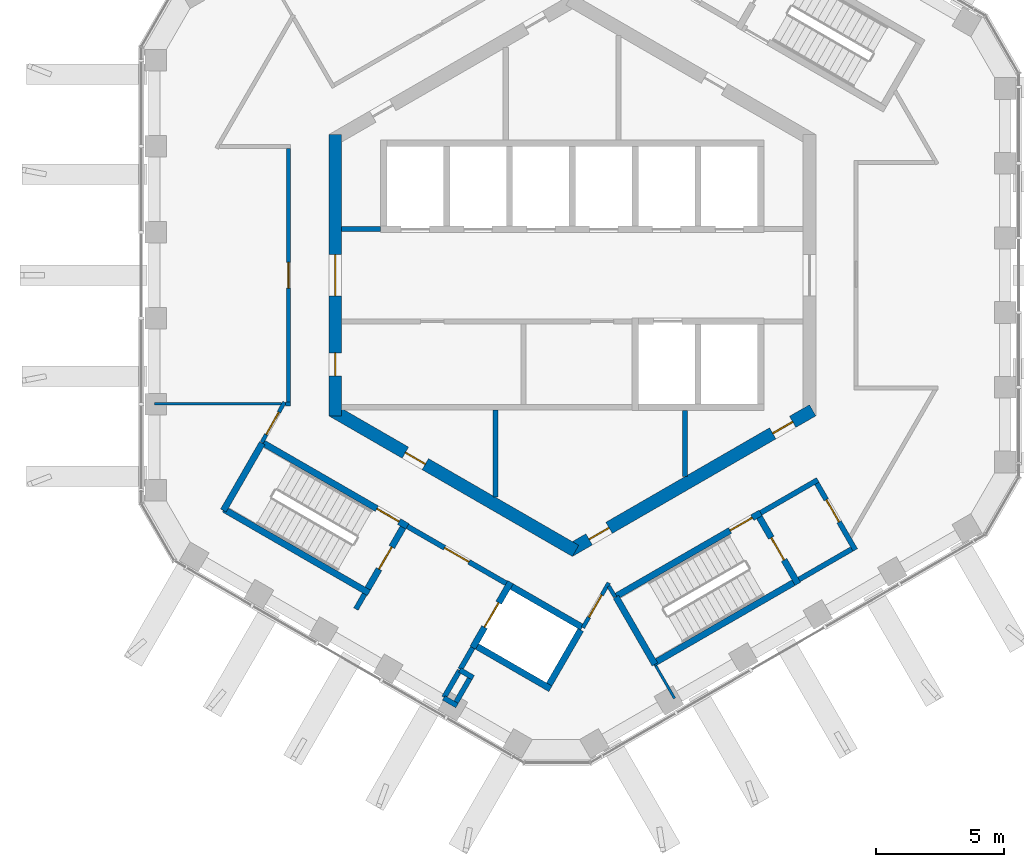
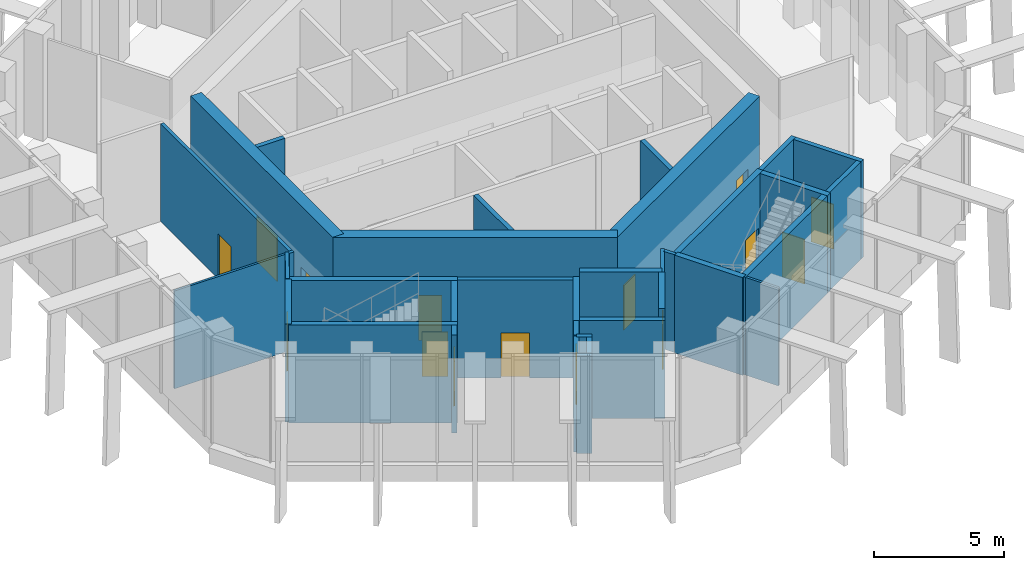
# One storey, part 11 of 17: 35 walls, 15 doors, 15 openings.
"""IFC4 building model written with IfcOpenShell, lengths in metres."""

from ifc_helpers import new_model, si_unit, direction, frame, frame_2d, origin, place, context, subcontext, project, spatial, rectangle, extrude, material, layer, layer_set, type_object, element, fill, save


model = new_model("IFC4")

# Units and contexts
model_context = context("Model", 3, precision=1e-05, world=origin(), true_north=direction((0.0, 1.0)))
body_context = subcontext(model_context, "Body", "Model", "MODEL_VIEW")
ifc_project = project(units=[si_unit("LENGTHUNIT", "METRE"), si_unit("AREAUNIT", "SQUARE_METRE"), si_unit("VOLUMEUNIT", "CUBIC_METRE"), si_unit("PLANEANGLEUNIT", "RADIAN"), si_unit("MASSUNIT", "GRAM", prefix="KILO")], contexts=[model_context])

# Site, building, storey
site_placement = place(None, origin())
site = spatial("IfcSite", under=ifc_project, at=site_placement, CompositionType="ELEMENT")
building_placement = place(site_placement, origin())
building = spatial("IfcBuilding", under=site, at=building_placement, Name="Ayvan Gate Tower", CompositionType="ELEMENT")
storey_placement = place(building_placement, frame((0.0, 0.0, 252.89990234375)))
storey = spatial("IfcBuildingStorey", under=building, at=storey_placement, Name="L68", CompositionType="ELEMENT", Elevation=252.89990234375)

# Wall, openings, doors
ifc_material_1 = material(Name="Concrete C60/75", Category="concrete")
ifc_layer_1 = layer(ifc_material_1, 0.5)
ifc_layer_set_1 = layer_set([ifc_layer_1], Name="Concrete C60/75")
wall_type_1 = type_object("IfcWallType", Name="Core wall 500 C60/75", PredefinedType="SHEAR", material=ifc_layer_set_1)
wall_1_placement = place(storey_placement, frame((-9.25, 5.48486328125, 0.0), z_axis=(0.0, 0.0, 1.0), x_axis=(0.0, -1.0, 0.0)))
wall_1 = element("IfcWall", 1, at=wall_1_placement, inside=storey, type_object=wall_type_1, Name="CORE-L68-3", PredefinedType="SHEAR", context=body_context, shape_type="SweptSolid", body=[
    extrude(rectangle(XDim=10.9697265625, YDim=0.5, at=frame_2d((5.48486328125, 0.0))), origin(), (0.0, 0.0, 1.0), 5.0),
])
opening_1_placement = place(wall_1_placement, frame((8.509765625, 0.0, 0.0)))
opening_1 = element("IfcOpeningElement", 2, at=opening_1_placement, cuts=wall_1, Name="Opening L68-D33", PredefinedType="OPENING", context=body_context, shape_type="SweptSolid", body=[
    extrude(rectangle(XDim=0.89990234375, YDim=2.10009765625, at=frame_2d((0.449951171875, 1.050048828125))), frame((0.0, 0.260009765625, 0.0), z_axis=(0.0, -1.0, 0.0), x_axis=(1.0, 0.0, 0.0)), (0.0, 0.0, 1.0), 0.52001953125),
])
opening_2_placement = place(wall_1_placement, frame((4.684814453125, 0.0, 0.0)))
opening_2 = element("IfcOpeningElement", 3, at=opening_2_placement, cuts=wall_1, Name="Opening L68-D35", PredefinedType="OPENING", context=body_context, shape_type="SweptSolid", body=[
    extrude(rectangle(XDim=1.60009765625, YDim=2.10009765625, at=frame_2d((0.800048828125, 1.050048828125))), frame((0.0, 0.260009765625, 0.0), z_axis=(0.0, -1.0, 0.0), x_axis=(1.0, 0.0, 0.0)), (0.0, 0.0, 1.0), 0.52001953125),
])
ifc_material_2 = material(Name="Timber door leaf", Category="wood")
door_type_1 = type_object("IfcDoorType", Name="DT-1600", OperationType="NOTDEFINED", PredefinedType="DOOR", material=ifc_material_2)
door_1_placement = place(opening_2_placement, origin())
door_1 = element("IfcDoor", 4, at=door_1_placement, inside=storey, type_object=door_type_1, Name="CD-L68-35", OperationType="SINGLE_SWING_LEFT", OverallHeight=2.10009765625, OverallWidth=1.60009765625, PredefinedType="DOOR", context=body_context, shape_type="SweptSolid", body=[
    extrude(rectangle(XDim=1.60009765625, YDim=2.10009765625, at=frame_2d((0.800048828125, 1.050048828125))), frame((0.0, 0.02490234375, 0.0), z_axis=(0.0, -1.0, 0.0), x_axis=(1.0, 0.0, 0.0)), (0.0, 0.0, 1.0), 0.050048828125),
])
fill(opening_2, door_1)
door_type_2 = type_object("IfcDoorType", Name="DT-900", OperationType="NOTDEFINED", PredefinedType="DOOR", material=ifc_material_2)
door_2_placement = place(opening_1_placement, origin())
door_2 = element("IfcDoor", 5, at=door_2_placement, inside=storey, type_object=door_type_2, Name="CD-L68-33", OperationType="SINGLE_SWING_LEFT", OverallHeight=2.10009765625, OverallWidth=0.89990234375, PredefinedType="DOOR", context=body_context, shape_type="SweptSolid", body=[
    extrude(rectangle(XDim=0.89990234375, YDim=2.10009765625, at=frame_2d((0.449951171875, 1.050048828125))), frame((0.0, 0.02490234375, 0.0), z_axis=(0.0, -1.0, 0.0), x_axis=(1.0, 0.0, 0.0)), (0.0, 0.0, 1.0), 0.050048828125),
])
fill(opening_1, door_2)

# Wall, opening, door
wall_2_placement = place(storey_placement, frame((-9.375, -5.268310546875, 0.0), z_axis=(0.0, 0.0, 1.0), x_axis=(0.866023993627, -0.500002442456, 0.0)))
wall_2 = element("IfcWall", 6, at=wall_2_placement, inside=storey, type_object=wall_type_1, Name="CORE-L68-4", PredefinedType="SHEAR", context=body_context, shape_type="SweptSolid", body=[
    extrude(rectangle(XDim=10.9697265625, YDim=0.5, at=frame_2d((5.48486328125, 0.0))), origin(), (0.0, 0.0, 1.0), 5.0),
])
opening_3_placement = place(wall_2_placement, frame((3.303466796875, 0.0, 0.0)))
opening_3 = element("IfcOpeningElement", 7, at=opening_3_placement, cuts=wall_2, Name="Opening L68-D30", PredefinedType="OPENING", context=body_context, shape_type="SweptSolid", body=[
    extrude(rectangle(XDim=0.89990234375, YDim=2.10009765625, at=frame_2d((0.449951171875, 1.050048828125))), frame((0.0, 0.260009765625, 0.0), z_axis=(0.0, -1.0, 0.0), x_axis=(1.0, 0.0, 0.0)), (0.0, 0.0, 1.0), 0.52001953125),
])
door_3_placement = place(opening_3_placement, origin())
door_3 = element("IfcDoor", 8, at=door_3_placement, inside=storey, type_object=door_type_2, Name="CD-L68-30", OperationType="SINGLE_SWING_RIGHT", OverallHeight=2.10009765625, OverallWidth=0.89990234375, PredefinedType="DOOR", context=body_context, shape_type="SweptSolid", body=[
    extrude(rectangle(XDim=0.89990234375, YDim=2.10009765625, at=frame_2d((0.449951171875, 1.050048828125))), frame((0.0, 0.02490234375, 0.0), z_axis=(0.0, -1.0, 0.0), x_axis=(1.0, 0.0, 0.0)), (0.0, 0.0, 1.0), 0.050048828125),
])
fill(opening_3, door_3)

# Wall, openings, doors
wall_3_placement = place(storey_placement, frame((-0.125, -10.753173828125, 0.0), z_axis=(0.0, 0.0, 1.0), x_axis=(0.866023993627, 0.500002442456, 0.0)))
wall_3 = element("IfcWall", 9, at=wall_3_placement, inside=storey, type_object=wall_type_1, Name="CORE-L68-5", PredefinedType="SHEAR", context=body_context, shape_type="SweptSolid", body=[
    extrude(rectangle(XDim=10.9697265625, YDim=0.5, at=frame_2d((5.48486328125, 0.0))), origin(), (0.0, 0.0, 1.0), 5.0),
])
opening_4_placement = place(wall_3_placement, frame((0.89990234375, 0.0, 0.0)))
opening_4 = element("IfcOpeningElement", 10, at=opening_4_placement, cuts=wall_3, Name="Opening L68-D31", PredefinedType="OPENING", context=body_context, shape_type="SweptSolid", body=[
    extrude(rectangle(XDim=0.89990234375, YDim=2.10009765625, at=frame_2d((0.449951171875, 1.050048828125))), frame((0.0, 0.260009765625, 0.0), z_axis=(0.0, -1.0, 0.0), x_axis=(1.0, 0.0, 0.0)), (0.0, 0.0, 1.0), 0.52001953125),
])
opening_5_placement = place(wall_3_placement, frame((9.169677734375, 0.0, 0.0)))
opening_5 = element("IfcOpeningElement", 11, at=opening_5_placement, cuts=wall_3, Name="Opening L68-D32", PredefinedType="OPENING", context=body_context, shape_type="SweptSolid", body=[
    extrude(rectangle(XDim=0.89990234375, YDim=2.10009765625, at=frame_2d((0.449951171875, 1.050048828125))), frame((0.0, 0.260009765625, 0.0), z_axis=(0.0, -1.0, 0.0), x_axis=(1.0, 0.0, 0.0)), (0.0, 0.0, 1.0), 0.52001953125),
])
door_4_placement = place(opening_4_placement, origin())
door_4 = element("IfcDoor", 12, at=door_4_placement, inside=storey, type_object=door_type_2, Name="CD-L68-31", OperationType="SINGLE_SWING_LEFT", OverallHeight=2.10009765625, OverallWidth=0.89990234375, PredefinedType="DOOR", context=body_context, shape_type="SweptSolid", body=[
    extrude(rectangle(XDim=0.89990234375, YDim=2.10009765625, at=frame_2d((0.449951171875, 1.050048828125))), frame((0.0, 0.02490234375, 0.0), z_axis=(0.0, -1.0, 0.0), x_axis=(1.0, 0.0, 0.0)), (0.0, 0.0, 1.0), 0.050048828125),
])
fill(opening_4, door_4)
door_5_placement = place(opening_5_placement, origin())
door_5 = element("IfcDoor", 13, at=door_5_placement, inside=storey, type_object=door_type_2, Name="CD-L68-32", OperationType="SINGLE_SWING_RIGHT", OverallHeight=2.10009765625, OverallWidth=0.89990234375, PredefinedType="DOOR", context=body_context, shape_type="SweptSolid", body=[
    extrude(rectangle(XDim=0.89990234375, YDim=2.10009765625, at=frame_2d((0.449951171875, 1.050048828125))), frame((0.0, 0.02490234375, 0.0), z_axis=(0.0, -1.0, 0.0), x_axis=(1.0, 0.0, 0.0)), (0.0, 0.0, 1.0), 0.050048828125),
])
fill(opening_5, door_5)

# Wall, opening, door
ifc_material_3 = material(Name="Plasterboard on steel stud", Category="steel")
ifc_layer_2 = layer(ifc_material_3, 0.14990234375)
ifc_layer_set_2 = layer_set([ifc_layer_2], Name="Plasterboard on steel stud")
wall_type_2 = type_object("IfcWallType", Name="WT-CORR-150", PredefinedType="PARTITIONING", material=ifc_layer_set_2)
wall_4_placement = place(storey_placement, frame((-12.111328125, -6.517578125, 0.0), z_axis=(0.0, 0.0, 1.0), x_axis=(0.491337027479, 0.87096953186, 0.0)))
wall_4 = element("IfcWall", 14, at=wall_4_placement, inside=storey, type_object=wall_type_2, Name="IW-L68-004", PredefinedType="PARTITIONING", context=body_context, shape_type="SweptSolid", body=[
    extrude(rectangle(XDim=1.798828125, YDim=0.14990234375, at=frame_2d((0.8994140625, 0.0))), origin(), (0.0, 0.0, 1.0), 4.60009765625),
])
opening_6_placement = place(wall_4_placement, frame((0.34765625, 0.0, 0.0)))
opening_6 = element("IfcOpeningElement", 15, at=opening_6_placement, cuts=wall_4, Name="Opening L68-D25", PredefinedType="OPENING", context=body_context, shape_type="SweptSolid", body=[
    extrude(rectangle(XDim=1.0, YDim=2.10009765625, at=frame_2d((0.5, 1.050048828125))), frame((0.0, 0.0849609375, 0.0), z_axis=(0.0, -1.0, 0.0), x_axis=(1.0, 0.0, 0.0)), (0.0, 0.0, 1.0), 0.169921875),
])
door_type_3 = type_object("IfcDoorType", Name="DT-1000", OperationType="NOTDEFINED", PredefinedType="DOOR", material=ifc_material_2)
door_6_placement = place(opening_6_placement, origin())
door_6 = element("IfcDoor", 16, at=door_6_placement, inside=storey, type_object=door_type_3, Name="ID-L68-025", OperationType="SINGLE_SWING_LEFT", OverallHeight=2.10009765625, OverallWidth=1.0, PredefinedType="DOOR", context=body_context, shape_type="SweptSolid", body=[
    extrude(rectangle(XDim=1.0, YDim=2.10009765625, at=frame_2d((0.5, 1.050048828125))), frame((0.0, 0.02490234375, 0.0), z_axis=(0.0, -1.0, 0.0), x_axis=(1.0, 0.0, 0.0)), (0.0, 0.0, 1.0), 0.050048828125),
])
fill(opening_6, door_6)

# Wall
wall_5_placement = place(storey_placement, frame((-11.189453125, -5.016357421875, 0.0), z_axis=(0.0, 0.0, 1.0), x_axis=(1.0, 0.0, 0.0)))
element("IfcWall", 17, at=wall_5_placement, inside=storey, type_object=wall_type_2, Name="IW-L68-006", PredefinedType="PARTITIONING", context=body_context, shape_type="SweptSolid", body=[
    extrude(rectangle(XDim=0.1943359375, YDim=0.14990234375, at=frame_2d((0.09716796875, 0.0))), origin(), (0.0, 0.0, 1.0), 4.60009765625),
])

# Wall, opening, door
wall_6_placement = place(storey_placement, frame((-11.070068359375, -4.94140625, 0.0), z_axis=(0.0, 0.0, 1.0), x_axis=(0.0, 1.0, 0.0)))
wall_6 = element("IfcWall", 18, at=wall_6_placement, inside=storey, type_object=wall_type_2, Name="IW-L68-009", PredefinedType="PARTITIONING", context=body_context, shape_type="SweptSolid", body=[
    extrude(rectangle(XDim=9.8828125, YDim=0.14990234375, at=frame_2d((4.94140625, 0.0))), origin(), (0.0, 0.0, 1.0), 4.60009765625),
])
opening_7_placement = place(wall_6_placement, frame((4.44140625, 0.0, 0.0)))
opening_7 = element("IfcOpeningElement", 19, at=opening_7_placement, cuts=wall_6, Name="Opening L68-D22", PredefinedType="OPENING", context=body_context, shape_type="SweptSolid", body=[
    extrude(rectangle(XDim=1.0, YDim=2.10009765625, at=frame_2d((0.5, 1.050048828125))), frame((0.0, 0.0849609375, 0.0), z_axis=(0.0, -1.0, 0.0), x_axis=(1.0, 0.0, 0.0)), (0.0, 0.0, 1.0), 0.169921875),
])
door_7_placement = place(opening_7_placement, origin())
door_7 = element("IfcDoor", 20, at=door_7_placement, inside=storey, type_object=door_type_3, Name="ID-L68-022", OperationType="SINGLE_SWING_RIGHT", OverallHeight=2.10009765625, OverallWidth=1.0, PredefinedType="DOOR", context=body_context, shape_type="SweptSolid", body=[
    extrude(rectangle(XDim=1.0, YDim=2.10009765625, at=frame_2d((0.5, 1.050048828125))), frame((0.0, 0.02490234375, 0.0), z_axis=(0.0, -1.0, 0.0), x_axis=(1.0, 0.0, 0.0)), (0.0, 0.0, 1.0), 0.050048828125),
])
fill(opening_7, door_7)

wall_7_placement = place(storey_placement, frame((1.419921875, -12.00048828125, 0.0), z_axis=(0.0, 0.0, 1.0), x_axis=(-0.499952933402, -0.866052575992, 0.0)))
wall_7 = element("IfcWall", 21, at=wall_7_placement, inside=storey, type_object=wall_type_2, Name="IW-L68-042", PredefinedType="PARTITIONING", context=body_context, shape_type="SweptSolid", body=[
    extrude(rectangle(XDim=2.017333984375, YDim=0.14990234375, at=frame_2d((1.0087890625, 0.0))), origin(), (0.0, 0.0, 1.0), 4.60009765625),
])
opening_8_placement = place(wall_7_placement, frame((0.5458984375, 0.0, 0.0)))
opening_8 = element("IfcOpeningElement", 22, at=opening_8_placement, cuts=wall_7, Name="Opening L68-D26", PredefinedType="OPENING", context=body_context, shape_type="SweptSolid", body=[
    extrude(rectangle(XDim=1.0, YDim=2.10009765625, at=frame_2d((0.5, 1.050048828125))), frame((0.0, 0.0849609375, 0.0), z_axis=(0.0, -1.0, 0.0), x_axis=(1.0, 0.0, 0.0)), (0.0, 0.0, 1.0), 0.169921875),
])
door_8_placement = place(opening_8_placement, origin())
door_8 = element("IfcDoor", 23, at=door_8_placement, inside=storey, type_object=door_type_3, Name="ID-L68-026", OperationType="SINGLE_SWING_RIGHT", OverallHeight=2.10009765625, OverallWidth=1.0, PredefinedType="DOOR", context=body_context, shape_type="SweptSolid", body=[
    extrude(rectangle(XDim=1.0, YDim=2.10009765625, at=frame_2d((0.5, 1.050048828125))), frame((0.0, 0.02490234375, 0.0), z_axis=(0.0, -1.0, 0.0), x_axis=(1.0, 0.0, 0.0)), (0.0, 0.0, 1.0), 0.050048828125),
])
fill(opening_8, door_8)

# Walls
wall_8_placement = place(storey_placement, frame((1.6669921875, -12.547607421875, 0.0), z_axis=(0.0, 0.0, 1.0), x_axis=(-0.508186221736, 0.861247214241, 0.0)))
element("IfcWall", 24, at=wall_8_placement, inside=storey, type_object=wall_type_2, Name="IW-L68-043", PredefinedType="PARTITIONING", context=body_context, shape_type="SweptSolid", body=[
    extrude(rectangle(XDim=0.484619140625, YDim=0.14990234375, at=frame_2d((0.2421875, 0.0))), origin(), (0.0, 0.0, 1.0), 4.60009765625),
])
ifc_layer_3 = layer(ifc_material_3, 0.10009765625)
ifc_layer_set_3 = layer_set([ifc_layer_3], Name="Plasterboard on steel stud")
wall_type_3 = type_object("IfcWallType", Name="WT-PART-100", PredefinedType="PARTITIONING", material=ifc_layer_set_3)
wall_9_placement = place(storey_placement, frame((-11.33935546875, -5.016357421875, 0.0), z_axis=(0.0, 0.0, 1.0), x_axis=(-1.0, 0.0, 0.0)))
element("IfcWall", 25, at=wall_9_placement, inside=storey, type_object=wall_type_3, Name="IW-L68-007", PredefinedType="PARTITIONING", context=body_context, shape_type="SweptSolid", body=[
    extrude(rectangle(XDim=4.95458984375, YDim=0.10009765625, at=frame_2d((2.477294921875, 0.0))), origin(), (0.0, 0.0, 1.0), 4.60009765625),
])
wall_10_placement = place(storey_placement, frame((3.989990234375, -16.510986328125, 0.0), z_axis=(0.0, 0.0, 1.0), x_axis=(-0.499928667132, 0.866066583918, 0.0)))
element("IfcWall", 26, at=wall_10_placement, inside=storey, type_object=wall_type_3, Name="IW-L68-053", PredefinedType="PARTITIONING", context=body_context, shape_type="SweptSolid", body=[
    extrude(rectangle(XDim=1.468994140625, YDim=0.10009765625, at=frame_2d((0.734375, 0.0))), origin(), (0.0, 0.0, 1.0), 4.60009765625),
])
ifc_layer_4 = layer(ifc_material_3, 0.199951171875)
ifc_layer_set_4 = layer_set([ifc_layer_4], Name="Plasterboard on steel stud")
wall_type_4 = type_object("IfcWallType", Name="WT-PLUMB-200", PredefinedType="PLUMBINGWALL", material=ifc_layer_set_4)
wall_11_placement = place(storey_placement, frame((-5.006103515625, -16.47119140625, 0.0), z_axis=(0.0, 0.0, 1.0), x_axis=(0.499913398087, 0.866075397649, 0.0)))
element("IfcWall", 27, at=wall_11_placement, inside=storey, type_object=wall_type_4, Name="IW-L68-021", PredefinedType="PLUMBINGWALL", context=body_context, shape_type="SweptSolid", body=[
    extrude(rectangle(XDim=1.217529296875, YDim=0.199951171875, at=frame_2d((0.60888671875, 0.0))), origin(), (0.0, 0.0, 1.0), 4.60009765625),
])
for number, where, z_axis, x_axis, name in (
    (28, (-4.49658203125, -16.788330078125, 0.0), (0.0, 0.0, 1.0), (-0.865955154139, 0.50012165622, 0.0), "IW-L68-024"),
    (29, (-4.387451171875, -15.3994140625, 0.0), (0.0, 0.0, 1.0), (0.865955154139, -0.50012165622, 0.0), "IW-L68-025"),
):
    element("IfcWall", number, at=place(storey_placement, frame(where, z_axis=z_axis, x_axis=x_axis)), inside=storey, type_object=wall_type_4, Name=name, PredefinedType="PLUMBINGWALL", context=body_context, shape_type="SweptSolid", body=[
        extrude(rectangle(XDim=0.599853515625, YDim=0.199951171875, at=frame_2d((0.2998046875, 0.0))), origin(), (0.0, 0.0, 1.0), 4.60009765625),
    ])
wall_12_placement = place(storey_placement, frame((-4.00439453125, -15.736083984375, 0.0), z_axis=(0.0, 0.0, 1.0), x_axis=(-0.500062184469, -0.865989498588, 0.0)))
element("IfcWall", 30, at=wall_12_placement, inside=storey, type_object=wall_type_4, Name="IW-L68-026", PredefinedType="PLUMBINGWALL", context=body_context, shape_type="SweptSolid", body=[
    extrude(rectangle(XDim=1.057373046875, YDim=0.199951171875, at=frame_2d((0.52880859375, 0.0))), origin(), (0.0, 0.0, 1.0), 4.60009765625),
])
ifc_layer_5 = layer(ifc_material_3, 0.199951171875)
ifc_layer_set_5 = layer_set([ifc_layer_5], Name="Plasterboard on steel stud")
wall_type_5 = type_object("IfcWallType", Name="WT-RATED-200", PredefinedType="PARTITIONING", material=ifc_layer_set_5)
wall_13_placement = place(storey_placement, frame((-9.0, 1.800048828125, 0.0), z_axis=(0.0, 0.0, 1.0), x_axis=(1.0, 0.0, 0.0)))
element("IfcWall", 31, at=wall_13_placement, inside=storey, type_object=wall_type_5, Name="IW-L68-012", PredefinedType="PARTITIONING", context=body_context, shape_type="SweptSolid", body=[
    extrude(rectangle(XDim=1.525146484375, YDim=0.199951171875, at=frame_2d((0.7626953125, 0.0))), origin(), (0.0, 0.0, 1.0), 4.60009765625),
])
wall_14_placement = place(storey_placement, frame((-8.44287109375, -13.0234375, 0.0), z_axis=(0.0, 0.0, 1.0), x_axis=(0.500066738792, 0.865986868696, 0.0)))
element("IfcWall", 32, at=wall_14_placement, inside=storey, type_object=wall_type_5, Name="IW-L68-014", PredefinedType="PARTITIONING", context=body_context, shape_type="SweptSolid", body=[
    extrude(rectangle(XDim=0.67529296875, YDim=0.199951171875, at=frame_2d((0.337646484375, 0.0))), origin(), (0.0, 0.0, 1.0), 4.60009765625),
])

# Wall, opening, door
wall_15_placement = place(storey_placement, frame((-6.4345703125, -9.794921875, 0.0), z_axis=(0.0, 0.0, 1.0), x_axis=(0.866012907634, -0.500021643343, 0.0)))
wall_15 = element("IfcWall", 33, at=wall_15_placement, inside=storey, type_object=wall_type_5, Name="IW-L68-020", PredefinedType="PARTITIONING", context=body_context, shape_type="SweptSolid", body=[
    extrude(rectangle(XDim=4.449951171875, YDim=0.199951171875, at=frame_2d((2.22509765625, 0.0))), origin(), (0.0, 0.0, 1.0), 4.60009765625),
])
opening_9_placement = place(wall_15_placement, frame((1.675048828125, 0.0, 0.0)))
opening_9 = element("IfcOpeningElement", 34, at=opening_9_placement, cuts=wall_15, Name="Opening L68-D16", PredefinedType="OPENING", context=body_context, shape_type="SweptSolid", body=[
    extrude(rectangle(XDim=1.10009765625, YDim=2.10009765625, at=frame_2d((0.550048828125, 1.050048828125))), frame((0.0, 0.10986328125, 0.0), z_axis=(0.0, -1.0, 0.0), x_axis=(1.0, 0.0, 0.0)), (0.0, 0.0, 1.0), 0.219970703125),
])
door_type_4 = type_object("IfcDoorType", Name="DT-1100", OperationType="NOTDEFINED", PredefinedType="DOOR", material=ifc_material_2)
door_9_placement = place(opening_9_placement, origin())
door_9 = element("IfcDoor", 35, at=door_9_placement, inside=storey, type_object=door_type_4, Name="ID-L68-016", OperationType="SINGLE_SWING_RIGHT", OverallHeight=2.10009765625, OverallWidth=1.10009765625, PredefinedType="DOOR", context=body_context, shape_type="SweptSolid", body=[
    extrude(rectangle(XDim=1.10009765625, YDim=2.10009765625, at=frame_2d((0.550048828125, 1.050048828125))), frame((0.0, 0.02490234375, 0.0), z_axis=(0.0, -1.0, 0.0), x_axis=(1.0, 0.0, 0.0)), (0.0, 0.0, 1.0), 0.050048828125),
])
fill(opening_9, door_9)

# Walls
wall_16_placement = place(storey_placement, frame((-3.885009765625, -14.52880859375, 0.0), z_axis=(0.0, 0.0, 1.0), x_axis=(-0.49998975084, -0.866031321059, 0.0)))
element("IfcWall", 36, at=wall_16_placement, inside=storey, type_object=wall_type_5, Name="IW-L68-027", PredefinedType="PARTITIONING", context=body_context, shape_type="SweptSolid", body=[
    extrude(rectangle(XDim=0.97509765625, YDim=0.199951171875, at=frame_2d((0.487548828125, 0.0))), origin(), (0.0, 0.0, 1.0), 4.60009765625),
])
wall_17_placement = place(storey_placement, frame((-3.0, -5.25, 0.0), z_axis=(0.0, 0.0, 1.0), x_axis=(0.0, -1.0, 0.0)))
element("IfcWall", 37, at=wall_17_placement, inside=storey, type_object=wall_type_5, Name="IW-L68-029", PredefinedType="PARTITIONING", context=body_context, shape_type="SweptSolid", body=[
    extrude(rectangle(XDim=3.410400390625, YDim=0.199951171875, at=frame_2d((1.705078125, 0.0))), origin(), (0.0, 0.0, 1.0), 4.60009765625),
])
wall_18_placement = place(storey_placement, frame((4.39990234375, -5.27490234375, 0.0), z_axis=(0.0, 0.0, 1.0), x_axis=(0.0, -1.0, 0.0)))
element("IfcWall", 38, at=wall_18_placement, inside=storey, type_object=wall_type_5, Name="IW-L68-055", PredefinedType="PARTITIONING", context=body_context, shape_type="SweptSolid", body=[
    extrude(rectangle(XDim=2.5771484375, YDim=0.199951171875, at=frame_2d((1.28857421875, 0.0))), origin(), (0.0, 0.0, 1.0), 4.60009765625),
])
wall_19_placement = place(storey_placement, frame((7.343994140625, -9.27001953125, 0.0), z_axis=(0.0, 0.0, 1.0), x_axis=(0.866005588531, 0.500034319456, 0.0)))
element("IfcWall", 39, at=wall_19_placement, inside=storey, type_object=wall_type_5, Name="IW-L68-063", PredefinedType="PARTITIONING", context=body_context, shape_type="SweptSolid", body=[
    extrude(rectangle(XDim=2.574951171875, YDim=0.199951171875, at=frame_2d((1.28759765625, 0.0))), origin(), (0.0, 0.0, 1.0), 4.60009765625),
])

# Wall, opening, door
wall_20_placement = place(storey_placement, frame((9.537353515625, -8.119140625, 0.0), z_axis=(0.0, 0.0, 1.0), x_axis=(0.499990139034, -0.866031096941, 0.0)))
wall_20 = element("IfcWall", 40, at=wall_20_placement, inside=storey, type_object=wall_type_5, Name="IW-L68-072", PredefinedType="PARTITIONING", context=body_context, shape_type="SweptSolid", body=[
    extrude(rectangle(XDim=3.0, YDim=0.199951171875, at=frame_2d((1.5, 0.0))), origin(), (0.0, 0.0, 1.0), 4.60009765625),
])
opening_10_placement = place(wall_20_placement, frame((0.73779296875, 0.0, 0.0)))
opening_10 = element("IfcOpeningElement", 41, at=opening_10_placement, cuts=wall_20, Name="Opening L68-D19", PredefinedType="OPENING", context=body_context, shape_type="SweptSolid", body=[
    extrude(rectangle(XDim=1.0, YDim=2.10009765625, at=frame_2d((0.5, 1.050048828125))), frame((0.0, 0.10986328125, 0.0), z_axis=(0.0, -1.0, 0.0), x_axis=(1.0, 0.0, 0.0)), (0.0, 0.0, 1.0), 0.219970703125),
])
door_10_placement = place(opening_10_placement, origin())
door_10 = element("IfcDoor", 42, at=door_10_placement, inside=storey, type_object=door_type_3, Name="ID-L68-019", OperationType="SINGLE_SWING_LEFT", OverallHeight=2.10009765625, OverallWidth=1.0, PredefinedType="DOOR", context=body_context, shape_type="SweptSolid", body=[
    extrude(rectangle(XDim=1.0, YDim=2.10009765625, at=frame_2d((0.5, 1.050048828125))), frame((0.0, 0.02490234375, 0.0), z_axis=(0.0, -1.0, 0.0), x_axis=(1.0, 0.0, 0.0)), (0.0, 0.0, 1.0), 0.050048828125),
])
fill(opening_10, door_10)

# Walls
wall_21_placement = place(storey_placement, frame((10.900634765625, -10.6806640625, 0.0), z_axis=(0.0, 0.0, 1.0), x_axis=(-0.866007538022, -0.500030943131, 0.0)))
element("IfcWall", 43, at=wall_21_placement, inside=storey, type_object=wall_type_5, Name="IW-L68-073", PredefinedType="PARTITIONING", context=body_context, shape_type="SweptSolid", body=[
    extrude(rectangle(XDim=2.374755859375, YDim=0.199951171875, at=frame_2d((1.1875, 0.0))), origin(), (0.0, 0.0, 1.0), 4.60009765625),
])
ifc_material_4 = material(Name="Concrete C50/60", Category="concrete")
ifc_layer_6 = layer(ifc_material_4, 0.25)
ifc_layer_set_6 = layer_set([ifc_layer_6], Name="Concrete C50/60")
wall_type_6 = type_object("IfcWallType", Name="WT-RC-250", PredefinedType="SHEAR", material=ifc_layer_set_6)
wall_22_placement = place(storey_placement, frame((-13.61279296875, -9.17822265625, 0.0), z_axis=(0.0, 0.0, 1.0), x_axis=(0.499954569122, 0.866051631725, 0.0)))
element("IfcWall", 44, at=wall_22_placement, inside=storey, type_object=wall_type_6, Name="IW-L68-001", PredefinedType="SHEAR", context=body_context, shape_type="SweptSolid", body=[
    extrude(rectangle(XDim=3.034912109375, YDim=0.25, at=frame_2d((1.517578125, 0.0))), origin(), (0.0, 0.0, 1.0), 4.60009765625),
])

# Wall, opening, door
wall_23_placement = place(storey_placement, frame((-12.08544921875, -6.532470703125, 0.0), z_axis=(0.0, 0.0, 1.0), x_axis=(0.866031063448, -0.499990197047, 0.0)))
wall_23 = element("IfcWall", 45, at=wall_23_placement, inside=storey, type_object=wall_type_6, Name="IW-L68-005", PredefinedType="SHEAR", context=body_context, shape_type="SweptSolid", body=[
    extrude(rectangle(XDim=6.525146484375, YDim=0.25, at=frame_2d((3.2626953125, 0.0))), origin(), (0.0, 0.0, 1.0), 4.60009765625),
])
opening_11_placement = place(wall_23_placement, frame((5.14990234375, 0.0, 0.0)))
opening_11 = element("IfcOpeningElement", 46, at=opening_11_placement, cuts=wall_23, Name="Opening L68-D14", PredefinedType="OPENING", context=body_context, shape_type="SweptSolid", body=[
    extrude(rectangle(XDim=1.0, YDim=2.10009765625, at=frame_2d((0.5, 1.050048828125))), frame((0.0, 0.135009765625, 0.0), z_axis=(0.0, -1.0, 0.0), x_axis=(1.0, 0.0, 0.0)), (0.0, 0.0, 1.0), 0.27001953125),
])
door_11_placement = place(opening_11_placement, origin())
door_11 = element("IfcDoor", 47, at=door_11_placement, inside=storey, type_object=door_type_3, Name="ID-L68-014", OperationType="SINGLE_SWING_RIGHT", OverallHeight=2.10009765625, OverallWidth=1.0, PredefinedType="DOOR", context=body_context, shape_type="SweptSolid", body=[
    extrude(rectangle(XDim=1.0, YDim=2.10009765625, at=frame_2d((0.5, 1.050048828125))), frame((0.0, 0.02490234375, 0.0), z_axis=(0.0, -1.0, 0.0), x_axis=(1.0, 0.0, 0.0)), (0.0, 0.0, 1.0), 0.050048828125),
])
fill(opening_11, door_11)

# Wall
wall_24_placement = place(storey_placement, frame((-7.9345703125, -12.39306640625, 0.0), z_axis=(0.0, 0.0, 1.0), x_axis=(-0.866031063448, 0.499990197047, 0.0)))
element("IfcWall", 48, at=wall_24_placement, inside=storey, type_object=wall_type_6, Name="IW-L68-015", PredefinedType="SHEAR", context=body_context, shape_type="SweptSolid", body=[
    extrude(rectangle(XDim=6.525146484375, YDim=0.25, at=frame_2d((3.2626953125, 0.0))), origin(), (0.0, 0.0, 1.0), 4.60009765625),
])

# Wall, opening, door
wall_25_placement = place(storey_placement, frame((-6.605224609375, -9.8408203125, 0.0), z_axis=(0.0, 0.0, 1.0), x_axis=(-0.499996545922, -0.866027397988, 0.0)))
wall_25 = element("IfcWall", 49, at=wall_25_placement, inside=storey, type_object=wall_type_6, Name="IW-L68-019", PredefinedType="SHEAR", context=body_context, shape_type="SweptSolid", body=[
    extrude(rectangle(XDim=2.75, YDim=0.25, at=frame_2d((1.375, 0.0))), origin(), (0.0, 0.0, 1.0), 4.60009765625),
])
opening_12_placement = place(wall_25_placement, frame((0.875, 0.0, 0.0)))
opening_12 = element("IfcOpeningElement", 50, at=opening_12_placement, cuts=wall_25, Name="Opening L68-D15", PredefinedType="OPENING", context=body_context, shape_type="SweptSolid", body=[
    extrude(rectangle(XDim=1.0, YDim=2.10009765625, at=frame_2d((0.5, 1.050048828125))), frame((0.0, 0.135009765625, 0.0), z_axis=(0.0, -1.0, 0.0), x_axis=(1.0, 0.0, 0.0)), (0.0, 0.0, 1.0), 0.27001953125),
])
door_12_placement = place(opening_12_placement, origin())
door_12 = element("IfcDoor", 51, at=door_12_placement, inside=storey, type_object=door_type_3, Name="ID-L68-015", OperationType="SINGLE_SWING_LEFT", OverallHeight=2.10009765625, OverallWidth=1.0, PredefinedType="DOOR", context=body_context, shape_type="SweptSolid", body=[
    extrude(rectangle(XDim=1.0, YDim=2.10009765625, at=frame_2d((0.5, 1.050048828125))), frame((0.0, 0.02490234375, 0.0), z_axis=(0.0, -1.0, 0.0), x_axis=(1.0, 0.0, 0.0)), (0.0, 0.0, 1.0), 0.050048828125),
])
fill(opening_12, door_12)

wall_26_placement = place(storey_placement, frame((-2.409912109375, -11.97412109375, 0.0), z_axis=(0.0, 0.0, 1.0), x_axis=(-0.500001826776, -0.866024349092, 0.0)))
wall_26 = element("IfcWall", 52, at=wall_26_placement, inside=storey, type_object=wall_type_6, Name="IW-L68-031", PredefinedType="SHEAR", context=body_context, shape_type="SweptSolid", body=[
    extrude(rectangle(XDim=2.9501953125, YDim=0.25, at=frame_2d((1.47509765625, 0.0))), origin(), (0.0, 0.0, 1.0), 4.60009765625),
])
opening_13_placement = place(wall_26_placement, frame((0.925048828125, 0.0, 0.0)))
opening_13 = element("IfcOpeningElement", 53, at=opening_13_placement, cuts=wall_26, Name="Opening L68-LD-FF2", PredefinedType="OPENING", context=body_context, shape_type="SweptSolid", body=[
    extrude(rectangle(XDim=1.10009765625, YDim=2.10009765625, at=frame_2d((0.550048828125, 1.050048828125))), frame((0.0, 0.135009765625, 0.0), z_axis=(0.0, -1.0, 0.0), x_axis=(1.0, 0.0, 0.0)), (0.0, 0.0, 1.0), 0.27001953125),
])
ifc_material_5 = material(Name="Stainless steel landing door", Category="steel")
door_type_5 = type_object("IfcDoorType", Name="DT-LANDING-1100", OperationType="SLIDING_TO_LEFT", PredefinedType="DOOR", material=ifc_material_5)
door_13_placement = place(opening_13_placement, origin())
door_13 = element("IfcDoor", 54, at=door_13_placement, inside=storey, type_object=door_type_5, Name="ID-L68-017", OperationType="SLIDING_TO_LEFT", OverallHeight=2.10009765625, OverallWidth=1.10009765625, PredefinedType="DOOR", context=body_context, shape_type="SweptSolid", body=[
    extrude(rectangle(XDim=1.10009765625, YDim=2.10009765625, at=frame_2d((0.550048828125, 1.050048828125))), frame((0.0, 0.02490234375, 0.0), z_axis=(0.0, -1.0, 0.0), x_axis=(1.0, 0.0, 0.0)), (0.0, 0.0, 1.0), 0.050048828125),
])
fill(opening_13, door_13)

# Walls
wall_27_placement = place(storey_placement, frame((-2.3642578125, -12.14501953125, 0.0), z_axis=(0.0, 0.0, 1.0), x_axis=(0.866048579423, -0.499959856469, 0.0)))
element("IfcWall", 55, at=wall_27_placement, inside=storey, type_object=wall_type_6, Name="IW-L68-032", PredefinedType="SHEAR", context=body_context, shape_type="SweptSolid", body=[
    extrude(rectangle(XDim=3.175048828125, YDim=0.25, at=frame_2d((1.58740234375, 0.0))), origin(), (0.0, 0.0, 1.0), 5.0),
])
wall_28_placement = place(storey_placement, frame((-0.8564453125, -16.13330078125, 0.0), z_axis=(0.0, 0.0, 1.0), x_axis=(-0.866021716278, 0.500006386895, 0.0)))
element("IfcWall", 56, at=wall_28_placement, inside=storey, type_object=wall_type_6, Name="IW-L68-037", PredefinedType="SHEAR", context=body_context, shape_type="SweptSolid", body=[
    extrude(rectangle(XDim=3.2998046875, YDim=0.25, at=frame_2d((1.64990234375, 0.0))), origin(), (0.0, 0.0, 1.0), 4.60009765625),
])
wall_29_placement = place(storey_placement, frame((0.323974609375, -13.8388671875, 0.0), z_axis=(0.0, 0.0, 1.0), x_axis=(-0.500015484165, -0.866016463813, 0.0)))
element("IfcWall", 57, at=wall_29_placement, inside=storey, type_object=wall_type_6, Name="IW-L68-040", PredefinedType="SHEAR", context=body_context, shape_type="SweptSolid", body=[
    extrude(rectangle(XDim=2.4521484375, YDim=0.25, at=frame_2d((1.22607421875, 0.0))), origin(), (0.0, 0.0, 1.0), 5.0),
])

# Wall, opening, door
wall_30_placement = place(storey_placement, frame((1.693115234375, -12.532470703125, 0.0), z_axis=(0.0, 0.0, 1.0), x_axis=(0.866031063448, 0.499990197047, 0.0)))
wall_30 = element("IfcWall", 58, at=wall_30_placement, inside=storey, type_object=wall_type_6, Name="IW-L68-045", PredefinedType="SHEAR", context=body_context, shape_type="SweptSolid", body=[
    extrude(rectangle(XDim=6.525146484375, YDim=0.25, at=frame_2d((3.2626953125, 0.0))), origin(), (0.0, 0.0, 1.0), 4.60009765625),
])
opening_14_placement = place(wall_30_placement, frame((5.14990234375, 0.0, 0.0)))
opening_14 = element("IfcOpeningElement", 59, at=opening_14_placement, cuts=wall_30, Name="Opening L68-D18", PredefinedType="OPENING", context=body_context, shape_type="SweptSolid", body=[
    extrude(rectangle(XDim=1.0, YDim=2.10009765625, at=frame_2d((0.5, 1.050048828125))), frame((0.0, 0.135009765625, 0.0), z_axis=(0.0, -1.0, 0.0), x_axis=(1.0, 0.0, 0.0)), (0.0, 0.0, 1.0), 0.27001953125),
])
door_14_placement = place(opening_14_placement, origin())
door_14 = element("IfcDoor", 60, at=door_14_placement, inside=storey, type_object=door_type_3, Name="ID-L68-018", OperationType="SINGLE_SWING_RIGHT", OverallHeight=2.10009765625, OverallWidth=1.0, PredefinedType="DOOR", context=body_context, shape_type="SweptSolid", body=[
    extrude(rectangle(XDim=1.0, YDim=2.10009765625, at=frame_2d((0.5, 1.050048828125))), frame((0.0, 0.02490234375, 0.0), z_axis=(0.0, -1.0, 0.0), x_axis=(1.0, 0.0, 0.0)), (0.0, 0.0, 1.0), 0.050048828125),
])
fill(opening_14, door_14)

# Wall
wall_31_placement = place(storey_placement, frame((3.220703125, -15.17822265625, 0.0), z_axis=(0.0, 0.0, 1.0), x_axis=(-0.500014901547, 0.866016800201, 0.0)))
element("IfcWall", 61, at=wall_31_placement, inside=storey, type_object=wall_type_6, Name="IW-L68-051", PredefinedType="SHEAR", context=body_context, shape_type="SweptSolid", body=[
    extrude(rectangle(XDim=3.03515625, YDim=0.25, at=frame_2d((1.517578125, 0.0))), origin(), (0.0, 0.0, 1.0), 4.60009765625),
])

# Wall, opening, door
wall_32_placement = place(storey_placement, frame((7.298095703125, -9.44091796875, 0.0), z_axis=(0.0, 0.0, 1.0), x_axis=(0.50002537861, -0.866010750942, 0.0)))
wall_32 = element("IfcWall", 62, at=wall_32_placement, inside=storey, type_object=wall_type_6, Name="IW-L68-062", PredefinedType="SHEAR", context=body_context, shape_type="SweptSolid", body=[
    extrude(rectangle(XDim=2.999755859375, YDim=0.25, at=frame_2d((1.5, 0.0))), origin(), (0.0, 0.0, 1.0), 4.60009765625),
])
opening_15_placement = place(wall_32_placement, frame((0.922607421875, 0.0, 0.0)))
opening_15 = element("IfcOpeningElement", 63, at=opening_15_placement, cuts=wall_32, Name="Opening L68-D20", PredefinedType="OPENING", context=body_context, shape_type="SweptSolid", body=[
    extrude(rectangle(XDim=1.0, YDim=2.10009765625, at=frame_2d((0.5, 1.050048828125))), frame((0.0, 0.135009765625, 0.0), z_axis=(0.0, -1.0, 0.0), x_axis=(1.0, 0.0, 0.0)), (0.0, 0.0, 1.0), 0.27001953125),
])
door_15_placement = place(opening_15_placement, origin())
door_15 = element("IfcDoor", 64, at=door_15_placement, inside=storey, type_object=door_type_3, Name="ID-L68-020", OperationType="SINGLE_SWING_RIGHT", OverallHeight=2.10009765625, OverallWidth=1.0, PredefinedType="DOOR", context=body_context, shape_type="SweptSolid", body=[
    extrude(rectangle(XDim=1.0, YDim=2.10009765625, at=frame_2d((0.5, 1.050048828125))), frame((0.0, 0.02490234375, 0.0), z_axis=(0.0, -1.0, 0.0), x_axis=(1.0, 0.0, 0.0)), (0.0, 0.0, 1.0), 0.050048828125),
])
fill(opening_15, door_15)

# Wall
wall_33_placement = place(storey_placement, frame((8.62744140625, -11.9931640625, 0.0), z_axis=(0.0, 0.0, 1.0), x_axis=(-0.866032601554, -0.49998753289, 0.0)))
element("IfcWall", 65, at=wall_33_placement, inside=storey, type_object=wall_type_6, Name="IW-L68-070", PredefinedType="SHEAR", context=body_context, shape_type="SweptSolid", body=[
    extrude(rectangle(XDim=6.324951171875, YDim=0.25, at=frame_2d((3.16259765625, 0.0))), origin(), (0.0, 0.0, 1.0), 4.60009765625),
])

save(model, "model.ifc")
